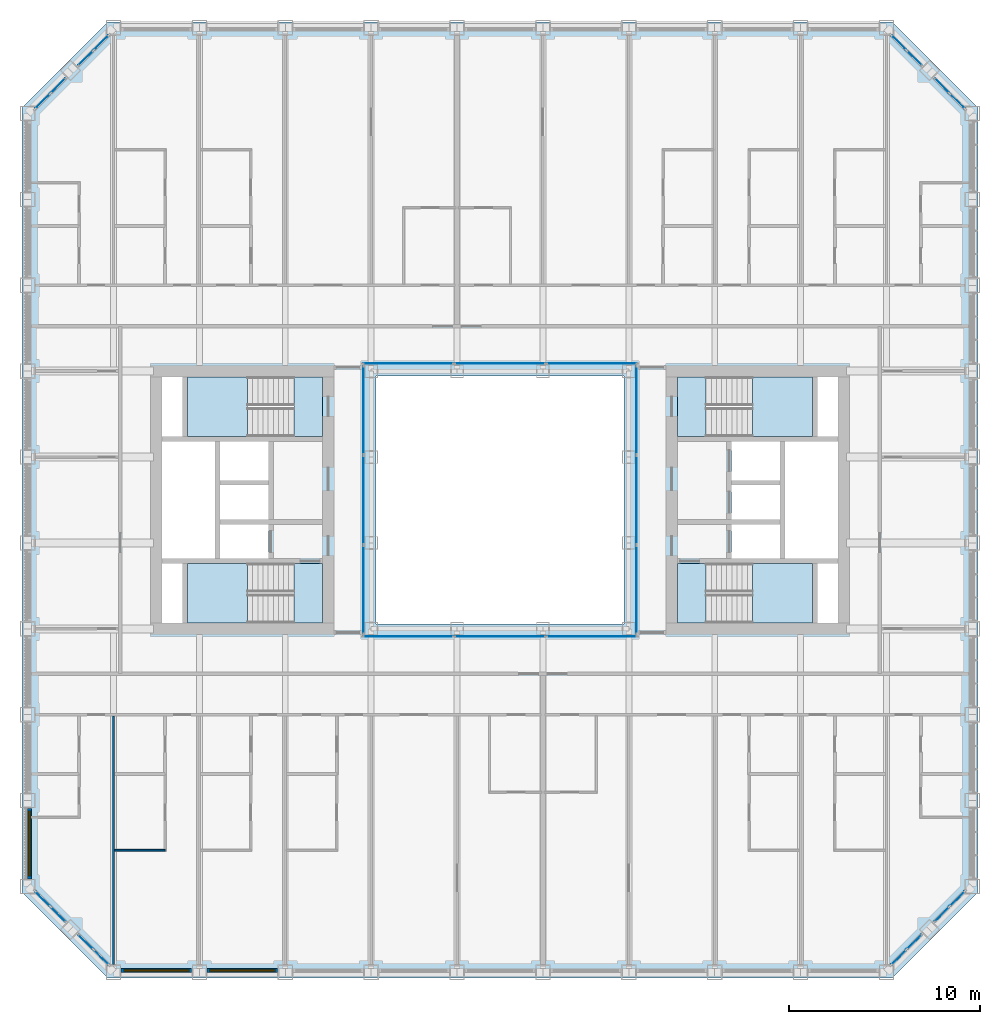
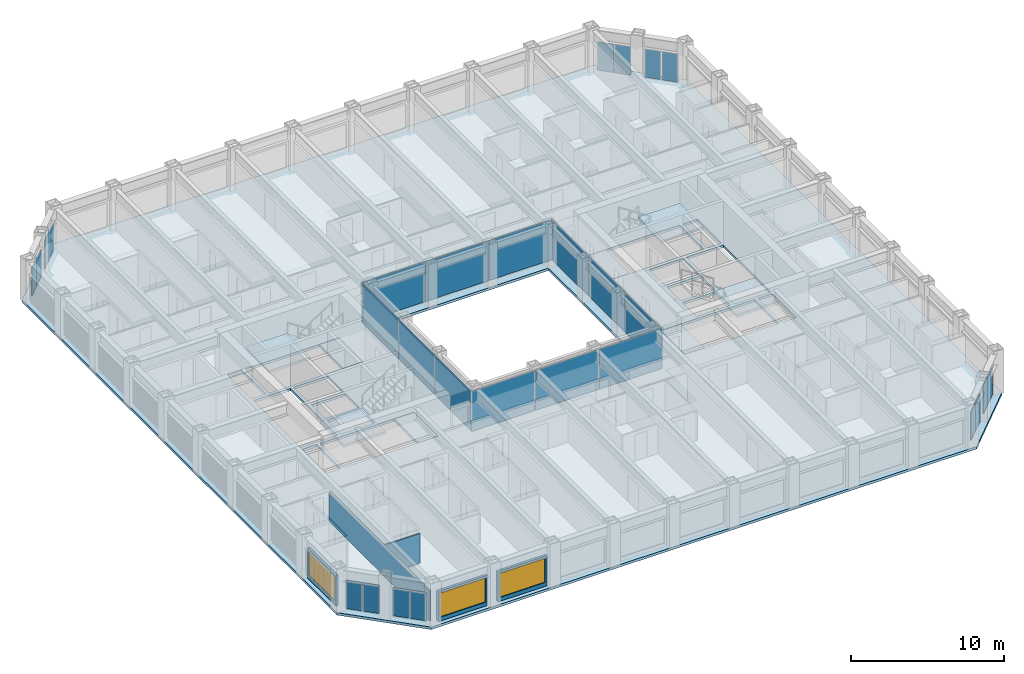
# One storey, part 8 of 21: 28 plates, 9 slabs, 5 walls, 3 windows, 3 openings, 16 elements without a shape of their own.
"""IFC4 building model written with IfcOpenShell, lengths in metres."""

from ifc_helpers import new_model, si_unit, direction, frame, frame_2d, origin, origin_2d, place, context, subcontext, project, spatial, polyline, rectangle, outline, extrude, material, layer, layer_set, type_object, element, fill, aggregate, save


model = new_model("IFC4")

# Units and contexts
model_context = context("Model", 3, precision=1e-05, world=origin(), true_north=direction((0.0, 1.0)))
body_context = subcontext(model_context, "Body", "Model", "MODEL_VIEW")
ifc_project = project(units=[si_unit("LENGTHUNIT", "METRE"), si_unit("AREAUNIT", "SQUARE_METRE"), si_unit("VOLUMEUNIT", "CUBIC_METRE"), si_unit("PLANEANGLEUNIT", "RADIAN"), si_unit("MASSUNIT", "GRAM", prefix="KILO")], contexts=[model_context])

# Site, building, storey
site_placement = place(None, origin())
site = spatial("IfcSite", under=ifc_project, at=site_placement, CompositionType="ELEMENT")
building_placement = place(site_placement, origin())
building = spatial("IfcBuilding", under=site, at=building_placement, Name="Msasa Ring Tower", CompositionType="ELEMENT")
storey_placement = place(building_placement, frame((0.0, 0.0, 82.5)))
storey = spatial("IfcBuildingStorey", under=building, at=storey_placement, Name="L21", CompositionType="ELEMENT", Elevation=82.5)

# Curtain wall, plates
ifc_material_1 = material(Name="Aluminium curtain wall with clear glass", Category="aluminium")
curtain_wall_type_1 = type_object("IfcCurtainWallType", Name="CW-C CHAMFER CORNER CURTAIN WALL", PredefinedType="NOTDEFINED", material=ifc_material_1)
curtain_wall_1_placement = place(storey_placement, origin())
curtain_wall_1 = element("IfcCurtainWall", 1, at=curtain_wall_1_placement, inside=storey, type_object=curtain_wall_type_1, Name="Chamfer corner curtain wall SE L21", PredefinedType="NOTDEFINED")
ifc_material_2 = material(Name="Clear laminated insulating glass unit", Category="glass")
ifc_layer_1 = layer(ifc_material_2, 0.031982421875)
ifc_layer_set_1 = layer_set([ifc_layer_1], Name="CW-C GLASS PANEL 32")
plate_type_1 = type_object("IfcPlateType", Name="CW-C GLASS PANEL 32", PredefinedType="CURTAIN_PANEL", material=ifc_layer_set_1)
plate_1_placement = place(storey_placement, frame((20.896484375, -23.962158203125, 0.06494140625), z_axis=(0.0, 0.0, 1.0), x_axis=(0.707106781187, 0.707106781187, 0.0)))
plate_1 = element("IfcPlate", 2, at=plate_1_placement, type_object=plate_type_1, Name="CW-C panel 1.1", PredefinedType="CURTAIN_PANEL", context=body_context, shape_type="SweptSolid", body=[
    extrude(rectangle(XDim=1.08837890625, YDim=0.031982421875, at=origin_2d()), origin(), (0.0, 0.0, 1.0), 2.2490234375),
])
plate_2_placement = place(storey_placement, frame((21.712158203125, -23.146484375, 0.06494140625), z_axis=(0.0, 0.0, 1.0), x_axis=(0.707106781187, 0.707106781187, 0.0)))
plate_2 = element("IfcPlate", 3, at=plate_2_placement, type_object=plate_type_1, Name="CW-C panel 2.1", PredefinedType="CURTAIN_PANEL", context=body_context, shape_type="SweptSolid", body=[
    extrude(rectangle(XDim=1.08837890625, YDim=0.031982421875, at=origin_2d()), origin(), (0.0, 0.0, 1.0), 2.2490234375),
])
aggregate(curtain_wall_1, [plate_1, plate_2])

curtain_wall_2_placement = place(storey_placement, origin())
curtain_wall_2 = element("IfcCurtainWall", 4, at=curtain_wall_2_placement, inside=storey, type_object=curtain_wall_type_1, Name="Chamfer corner curtain wall SE L21", PredefinedType="NOTDEFINED")
plate_3_placement = place(storey_placement, frame((23.146484375, -21.712158203125, 0.06494140625), z_axis=(0.0, 0.0, 1.0), x_axis=(0.707106781187, 0.707106781187, 0.0)))
plate_3 = element("IfcPlate", 5, at=plate_3_placement, type_object=plate_type_1, Name="CW-C panel 1.1", PredefinedType="CURTAIN_PANEL", context=body_context, shape_type="SweptSolid", body=[
    extrude(rectangle(XDim=1.08837890625, YDim=0.031982421875, at=origin_2d()), origin(), (0.0, 0.0, 1.0), 2.2490234375),
])
plate_4_placement = place(storey_placement, frame((23.962158203125, -20.896484375, 0.06494140625), z_axis=(0.0, 0.0, 1.0), x_axis=(0.707106781187, 0.707106781187, 0.0)))
plate_4 = element("IfcPlate", 6, at=plate_4_placement, type_object=plate_type_1, Name="CW-C panel 2.1", PredefinedType="CURTAIN_PANEL", context=body_context, shape_type="SweptSolid", body=[
    extrude(rectangle(XDim=1.08837890625, YDim=0.031982421875, at=origin_2d()), origin(), (0.0, 0.0, 1.0), 2.2490234375),
])
aggregate(curtain_wall_2, [plate_3, plate_4])

curtain_wall_3_placement = place(storey_placement, origin())
curtain_wall_3 = element("IfcCurtainWall", 7, at=curtain_wall_3_placement, inside=storey, type_object=curtain_wall_type_1, Name="Chamfer corner curtain wall NE L21", PredefinedType="NOTDEFINED")
plate_5_placement = place(storey_placement, frame((21.712158203125, 23.146484375, 0.06494140625), z_axis=(0.0, 0.0, 1.0), x_axis=(-0.707106781187, 0.707106781187, 0.0)))
plate_5 = element("IfcPlate", 8, at=plate_5_placement, type_object=plate_type_1, Name="CW-C panel 1.1", PredefinedType="CURTAIN_PANEL", context=body_context, shape_type="SweptSolid", body=[
    extrude(rectangle(XDim=1.08837890625, YDim=0.031982421875, at=origin_2d()), origin(), (0.0, 0.0, 1.0), 2.2490234375),
])
plate_6_placement = place(storey_placement, frame((20.896484375, 23.962158203125, 0.06494140625), z_axis=(0.0, 0.0, 1.0), x_axis=(-0.707106781187, 0.707106781187, 0.0)))
plate_6 = element("IfcPlate", 9, at=plate_6_placement, type_object=plate_type_1, Name="CW-C panel 2.1", PredefinedType="CURTAIN_PANEL", context=body_context, shape_type="SweptSolid", body=[
    extrude(rectangle(XDim=1.08837890625, YDim=0.031982421875, at=origin_2d()), origin(), (0.0, 0.0, 1.0), 2.2490234375),
])
aggregate(curtain_wall_3, [plate_5, plate_6])

curtain_wall_4_placement = place(storey_placement, origin())
curtain_wall_4 = element("IfcCurtainWall", 10, at=curtain_wall_4_placement, inside=storey, type_object=curtain_wall_type_1, Name="Chamfer corner curtain wall NE L21", PredefinedType="NOTDEFINED")
plate_7_placement = place(storey_placement, frame((23.962158203125, 20.896484375, 0.06494140625), z_axis=(0.0, 0.0, 1.0), x_axis=(-0.707106781187, 0.707106781187, 0.0)))
plate_7 = element("IfcPlate", 11, at=plate_7_placement, type_object=plate_type_1, Name="CW-C panel 1.1", PredefinedType="CURTAIN_PANEL", context=body_context, shape_type="SweptSolid", body=[
    extrude(rectangle(XDim=1.08837890625, YDim=0.031982421875, at=origin_2d()), origin(), (0.0, 0.0, 1.0), 2.2490234375),
])
plate_8_placement = place(storey_placement, frame((23.146484375, 21.712158203125, 0.06494140625), z_axis=(0.0, 0.0, 1.0), x_axis=(-0.707106781187, 0.707106781187, 0.0)))
plate_8 = element("IfcPlate", 12, at=plate_8_placement, type_object=plate_type_1, Name="CW-C panel 2.1", PredefinedType="CURTAIN_PANEL", context=body_context, shape_type="SweptSolid", body=[
    extrude(rectangle(XDim=1.08837890625, YDim=0.031982421875, at=origin_2d()), origin(), (0.0, 0.0, 1.0), 2.2490234375),
])
aggregate(curtain_wall_4, [plate_7, plate_8])

curtain_wall_5_placement = place(storey_placement, origin())
curtain_wall_5 = element("IfcCurtainWall", 13, at=curtain_wall_5_placement, inside=storey, type_object=curtain_wall_type_1, Name="Chamfer corner curtain wall NW L21", PredefinedType="NOTDEFINED")
plate_9_placement = place(storey_placement, frame((-23.146484375, 21.712158203125, 0.06494140625), z_axis=(0.0, 0.0, 1.0), x_axis=(-0.707106781187, -0.707106781187, 0.0)))
plate_9 = element("IfcPlate", 14, at=plate_9_placement, type_object=plate_type_1, Name="CW-C panel 1.1", PredefinedType="CURTAIN_PANEL", context=body_context, shape_type="SweptSolid", body=[
    extrude(rectangle(XDim=1.08837890625, YDim=0.031982421875, at=origin_2d()), origin(), (0.0, 0.0, 1.0), 2.2490234375),
])
plate_10_placement = place(storey_placement, frame((-23.962158203125, 20.896484375, 0.06494140625), z_axis=(0.0, 0.0, 1.0), x_axis=(-0.707106781187, -0.707106781187, 0.0)))
plate_10 = element("IfcPlate", 15, at=plate_10_placement, type_object=plate_type_1, Name="CW-C panel 2.1", PredefinedType="CURTAIN_PANEL", context=body_context, shape_type="SweptSolid", body=[
    extrude(rectangle(XDim=1.08837890625, YDim=0.031982421875, at=origin_2d()), origin(), (0.0, 0.0, 1.0), 2.2490234375),
])
aggregate(curtain_wall_5, [plate_9, plate_10])

curtain_wall_6_placement = place(storey_placement, origin())
curtain_wall_6 = element("IfcCurtainWall", 16, at=curtain_wall_6_placement, inside=storey, type_object=curtain_wall_type_1, Name="Chamfer corner curtain wall NW L21", PredefinedType="NOTDEFINED")
plate_11_placement = place(storey_placement, frame((-20.896484375, 23.962158203125, 0.06494140625), z_axis=(0.0, 0.0, 1.0), x_axis=(-0.707106781187, -0.707106781187, 0.0)))
plate_11 = element("IfcPlate", 17, at=plate_11_placement, type_object=plate_type_1, Name="CW-C panel 1.1", PredefinedType="CURTAIN_PANEL", context=body_context, shape_type="SweptSolid", body=[
    extrude(rectangle(XDim=1.08837890625, YDim=0.031982421875, at=origin_2d()), origin(), (0.0, 0.0, 1.0), 2.2490234375),
])
plate_12_placement = place(storey_placement, frame((-21.712158203125, 23.146484375, 0.06494140625), z_axis=(0.0, 0.0, 1.0), x_axis=(-0.707106781187, -0.707106781187, 0.0)))
plate_12 = element("IfcPlate", 18, at=plate_12_placement, type_object=plate_type_1, Name="CW-C panel 2.1", PredefinedType="CURTAIN_PANEL", context=body_context, shape_type="SweptSolid", body=[
    extrude(rectangle(XDim=1.08837890625, YDim=0.031982421875, at=origin_2d()), origin(), (0.0, 0.0, 1.0), 2.2490234375),
])
aggregate(curtain_wall_6, [plate_11, plate_12])

curtain_wall_7_placement = place(storey_placement, origin())
curtain_wall_7 = element("IfcCurtainWall", 19, at=curtain_wall_7_placement, inside=storey, type_object=curtain_wall_type_1, Name="Chamfer corner curtain wall SW L21", PredefinedType="NOTDEFINED")
plate_13_placement = place(storey_placement, frame((-23.962158203125, -20.896484375, 0.06494140625), z_axis=(0.0, 0.0, 1.0), x_axis=(0.707106781187, -0.707106781187, 0.0)))
plate_13 = element("IfcPlate", 20, at=plate_13_placement, type_object=plate_type_1, Name="CW-C panel 1.1", PredefinedType="CURTAIN_PANEL", context=body_context, shape_type="SweptSolid", body=[
    extrude(rectangle(XDim=1.08837890625, YDim=0.031982421875, at=origin_2d()), origin(), (0.0, 0.0, 1.0), 2.2490234375),
])
plate_14_placement = place(storey_placement, frame((-23.146484375, -21.712158203125, 0.06494140625), z_axis=(0.0, 0.0, 1.0), x_axis=(0.707106781187, -0.707106781187, 0.0)))
plate_14 = element("IfcPlate", 21, at=plate_14_placement, type_object=plate_type_1, Name="CW-C panel 2.1", PredefinedType="CURTAIN_PANEL", context=body_context, shape_type="SweptSolid", body=[
    extrude(rectangle(XDim=1.08837890625, YDim=0.031982421875, at=origin_2d()), origin(), (0.0, 0.0, 1.0), 2.2490234375),
])
aggregate(curtain_wall_7, [plate_13, plate_14])

curtain_wall_8_placement = place(storey_placement, origin())
curtain_wall_8 = element("IfcCurtainWall", 22, at=curtain_wall_8_placement, inside=storey, type_object=curtain_wall_type_1, Name="Chamfer corner curtain wall SW L21", PredefinedType="NOTDEFINED")
plate_15_placement = place(storey_placement, frame((-21.712158203125, -23.146484375, 0.06494140625), z_axis=(0.0, 0.0, 1.0), x_axis=(0.707106781187, -0.707106781187, 0.0)))
plate_15 = element("IfcPlate", 23, at=plate_15_placement, type_object=plate_type_1, Name="CW-C panel 1.1", PredefinedType="CURTAIN_PANEL", context=body_context, shape_type="SweptSolid", body=[
    extrude(rectangle(XDim=1.08837890625, YDim=0.031982421875, at=origin_2d()), origin(), (0.0, 0.0, 1.0), 2.2490234375),
])
plate_16_placement = place(storey_placement, frame((-20.896484375, -23.962158203125, 0.06494140625), z_axis=(0.0, 0.0, 1.0), x_axis=(0.707106781187, -0.707106781187, 0.0)))
plate_16 = element("IfcPlate", 24, at=plate_16_placement, type_object=plate_type_1, Name="CW-C panel 2.1", PredefinedType="CURTAIN_PANEL", context=body_context, shape_type="SweptSolid", body=[
    extrude(rectangle(XDim=1.08837890625, YDim=0.031982421875, at=origin_2d()), origin(), (0.0, 0.0, 1.0), 2.2490234375),
])
aggregate(curtain_wall_8, [plate_15, plate_16])

ifc_material_3 = material(Name="Aluminium curtain wall with clear glass", Category="aluminium")
curtain_wall_type_2 = type_object("IfcCurtainWallType", Name="CW-W LIGHT WELL CURTAIN WALL", PredefinedType="NOTDEFINED", material=ifc_material_3)
curtain_wall_9_placement = place(storey_placement, origin())
curtain_wall_9 = element("IfcCurtainWall", 25, at=curtain_wall_9_placement, inside=storey, type_object=curtain_wall_type_2, Name="Light well curtain wall N L21", PredefinedType="NOTDEFINED")
ifc_material_4 = material(Name="Clear laminated insulating glass unit", Category="glass")
ifc_layer_2 = layer(ifc_material_4, 0.028076171875)
ifc_layer_set_2 = layer_set([ifc_layer_2], Name="CW-W GLASS PANEL 28")
plate_type_2 = type_object("IfcPlateType", Name="CW-W GLASS PANEL 28", PredefinedType="CURTAIN_PANEL", material=ifc_layer_set_2)
plate_17_placement = place(storey_placement, frame((-4.804931640625, 7.14990234375, 0.06005859375), z_axis=(0.0, 0.0, 1.0), x_axis=(1.0, 0.0, 0.0)))
plate_17 = element("IfcPlate", 26, at=plate_17_placement, type_object=plate_type_2, Name="CW-W panel 1.1", PredefinedType="CURTAIN_PANEL", context=body_context, shape_type="SweptSolid", body=[
    extrude(rectangle(XDim=4.72998046875, YDim=0.028076171875, at=origin_2d()), origin(), (0.0, 0.0, 1.0), 3.179931640625),
])
plate_18_placement = place(storey_placement, frame((0.0, 7.14990234375, 0.06005859375), z_axis=(0.0, 0.0, 1.0), x_axis=(1.0, 0.0, 0.0)))
plate_18 = element("IfcPlate", 27, at=plate_18_placement, type_object=plate_type_2, Name="CW-W panel 2.1", PredefinedType="CURTAIN_PANEL", context=body_context, shape_type="SweptSolid", body=[
    extrude(rectangle(XDim=4.760009765625, YDim=0.028076171875, at=origin_2d()), origin(), (0.0, 0.0, 1.0), 3.179931640625),
])
plate_19_placement = place(storey_placement, frame((4.804931640625, 7.14990234375, 0.06005859375), z_axis=(0.0, 0.0, 1.0), x_axis=(1.0, 0.0, 0.0)))
plate_19 = element("IfcPlate", 28, at=plate_19_placement, type_object=plate_type_2, Name="CW-W panel 3.1", PredefinedType="CURTAIN_PANEL", context=body_context, shape_type="SweptSolid", body=[
    extrude(rectangle(XDim=4.72998046875, YDim=0.028076171875, at=origin_2d()), origin(), (0.0, 0.0, 1.0), 3.179931640625),
])
aggregate(curtain_wall_9, [plate_17, plate_18, plate_19])

curtain_wall_10_placement = place(storey_placement, origin())
curtain_wall_10 = element("IfcCurtainWall", 29, at=curtain_wall_10_placement, inside=storey, type_object=curtain_wall_type_2, Name="Light well curtain wall S L21", PredefinedType="NOTDEFINED")
plate_20_placement = place(storey_placement, frame((-4.804931640625, -7.14990234375, 0.06005859375), z_axis=(0.0, 0.0, 1.0), x_axis=(1.0, 0.0, 0.0)))
plate_20 = element("IfcPlate", 30, at=plate_20_placement, type_object=plate_type_2, Name="CW-W panel 1.1", PredefinedType="CURTAIN_PANEL", context=body_context, shape_type="SweptSolid", body=[
    extrude(rectangle(XDim=4.72998046875, YDim=0.028076171875, at=origin_2d()), origin(), (0.0, 0.0, 1.0), 3.179931640625),
])
plate_21_placement = place(storey_placement, frame((0.0, -7.14990234375, 0.06005859375), z_axis=(0.0, 0.0, 1.0), x_axis=(1.0, 0.0, 0.0)))
plate_21 = element("IfcPlate", 31, at=plate_21_placement, type_object=plate_type_2, Name="CW-W panel 2.1", PredefinedType="CURTAIN_PANEL", context=body_context, shape_type="SweptSolid", body=[
    extrude(rectangle(XDim=4.760009765625, YDim=0.028076171875, at=origin_2d()), origin(), (0.0, 0.0, 1.0), 3.179931640625),
])
plate_22_placement = place(storey_placement, frame((4.804931640625, -7.14990234375, 0.06005859375), z_axis=(0.0, 0.0, 1.0), x_axis=(1.0, 0.0, 0.0)))
plate_22 = element("IfcPlate", 32, at=plate_22_placement, type_object=plate_type_2, Name="CW-W panel 3.1", PredefinedType="CURTAIN_PANEL", context=body_context, shape_type="SweptSolid", body=[
    extrude(rectangle(XDim=4.72998046875, YDim=0.028076171875, at=origin_2d()), origin(), (0.0, 0.0, 1.0), 3.179931640625),
])
aggregate(curtain_wall_10, [plate_20, plate_21, plate_22])

curtain_wall_11_placement = place(storey_placement, origin())
curtain_wall_11 = element("IfcCurtainWall", 33, at=curtain_wall_11_placement, inside=storey, type_object=curtain_wall_type_2, Name="Light well curtain wall E L21", PredefinedType="NOTDEFINED")
plate_23_placement = place(storey_placement, frame((7.14990234375, -4.6982421875, 0.06005859375), z_axis=(0.0, 0.0, 1.0), x_axis=(0.0, 1.0, 0.0)))
plate_23 = element("IfcPlate", 34, at=plate_23_placement, type_object=plate_type_2, Name="CW-W panel 1.1", PredefinedType="CURTAIN_PANEL", context=body_context, shape_type="SweptSolid", body=[
    extrude(rectangle(XDim=4.623291015625, YDim=0.028076171875, at=origin_2d()), origin(), (0.0, 0.0, 1.0), 3.179931640625),
])
plate_24_placement = place(storey_placement, frame((7.14990234375, 0.0, 0.06005859375), z_axis=(0.0, 0.0, 1.0), x_axis=(0.0, 1.0, 0.0)))
plate_24 = element("IfcPlate", 35, at=plate_24_placement, type_object=plate_type_2, Name="CW-W panel 2.1", PredefinedType="CURTAIN_PANEL", context=body_context, shape_type="SweptSolid", body=[
    extrude(rectangle(XDim=4.6533203125, YDim=0.028076171875, at=origin_2d()), origin(), (0.0, 0.0, 1.0), 3.179931640625),
])
plate_25_placement = place(storey_placement, frame((7.14990234375, 4.6982421875, 0.06005859375), z_axis=(0.0, 0.0, 1.0), x_axis=(0.0, 1.0, 0.0)))
plate_25 = element("IfcPlate", 36, at=plate_25_placement, type_object=plate_type_2, Name="CW-W panel 3.1", PredefinedType="CURTAIN_PANEL", context=body_context, shape_type="SweptSolid", body=[
    extrude(rectangle(XDim=4.623291015625, YDim=0.028076171875, at=origin_2d()), origin(), (0.0, 0.0, 1.0), 3.179931640625),
])
aggregate(curtain_wall_11, [plate_23, plate_24, plate_25])

curtain_wall_12_placement = place(storey_placement, origin())
curtain_wall_12 = element("IfcCurtainWall", 37, at=curtain_wall_12_placement, inside=storey, type_object=curtain_wall_type_2, Name="Light well curtain wall W L21", PredefinedType="NOTDEFINED")
plate_26_placement = place(storey_placement, frame((-7.14990234375, -4.6982421875, 0.06005859375), z_axis=(0.0, 0.0, 1.0), x_axis=(0.0, 1.0, 0.0)))
plate_26 = element("IfcPlate", 38, at=plate_26_placement, type_object=plate_type_2, Name="CW-W panel 1.1", PredefinedType="CURTAIN_PANEL", context=body_context, shape_type="SweptSolid", body=[
    extrude(rectangle(XDim=4.623291015625, YDim=0.028076171875, at=origin_2d()), origin(), (0.0, 0.0, 1.0), 3.179931640625),
])
plate_27_placement = place(storey_placement, frame((-7.14990234375, 0.0, 0.06005859375), z_axis=(0.0, 0.0, 1.0), x_axis=(0.0, 1.0, 0.0)))
plate_27 = element("IfcPlate", 39, at=plate_27_placement, type_object=plate_type_2, Name="CW-W panel 2.1", PredefinedType="CURTAIN_PANEL", context=body_context, shape_type="SweptSolid", body=[
    extrude(rectangle(XDim=4.6533203125, YDim=0.028076171875, at=origin_2d()), origin(), (0.0, 0.0, 1.0), 3.179931640625),
])
plate_28_placement = place(storey_placement, frame((-7.14990234375, 4.6982421875, 0.06005859375), z_axis=(0.0, 0.0, 1.0), x_axis=(0.0, 1.0, 0.0)))
plate_28 = element("IfcPlate", 40, at=plate_28_placement, type_object=plate_type_2, Name="CW-W panel 3.1", PredefinedType="CURTAIN_PANEL", context=body_context, shape_type="SweptSolid", body=[
    extrude(rectangle(XDim=4.623291015625, YDim=0.028076171875, at=origin_2d()), origin(), (0.0, 0.0, 1.0), 3.179931640625),
])
aggregate(curtain_wall_12, [plate_26, plate_27, plate_28])

# Stair, slabs
ifc_material_5 = material(Name="Concrete C40/50", Category="concrete")
stair_type = type_object("IfcStairType", Name="STC CORE STAIR 20 RISERS 175", PredefinedType="HALF_TURN_STAIR", material=ifc_material_5)
stair_1_placement = place(storey_placement, origin())
stair_1 = element("IfcStair", 41, at=stair_1_placement, inside=storey, type_object=stair_type, Name="Core stair SEA L21", PredefinedType="HALF_TURN_STAIR")
ifc_material_6 = material(Name="Concrete C40/50", Category="concrete")
ifc_layer_3 = layer(ifc_material_6, 0.199951171875)
ifc_layer_set_3 = layer_set([ifc_layer_3], Name="LD1 CORE STAIR LANDING 200")
slab_type_1 = type_object("IfcSlabType", Name="LD1 CORE STAIR LANDING 200", PredefinedType="LANDING", material=ifc_layer_set_3)
slab_1_placement = place(storey_placement, frame((0.0, 0.0, -0.199951171875)))
slab_1 = element("IfcSlab", 42, at=slab_1_placement, type_object=slab_type_1, Name="SEA landing 1", PredefinedType="LANDING", context=body_context, shape_type="SweptSolid", body=[
    extrude(outline(polyline([(9.300048828125, -6.449951171875), (10.800048828125, -6.449951171875), (10.800048828125, -3.324951171875), (9.300048828125, -3.324951171875), (9.300048828125, -6.449951171875)])), origin(), (0.0, 0.0, 1.0), 0.199951171875),
])
slab_2_placement = place(storey_placement, frame((0.0, 0.0, 1.550048828125)))
slab_2 = element("IfcSlab", 43, at=slab_2_placement, type_object=slab_type_1, Name="SEA landing 2", PredefinedType="LANDING", context=body_context, shape_type="SweptSolid", body=[
    extrude(outline(polyline([(13.22998046875, -6.449951171875), (16.375, -6.449951171875), (16.375, -3.324951171875), (13.22998046875, -3.324951171875), (13.22998046875, -6.449951171875)])), origin(), (0.0, 0.0, 1.0), 0.199951171875),
])
aggregate(stair_1, [slab_1, slab_2])

stair_2_placement = place(storey_placement, origin())
stair_2 = element("IfcStair", 44, at=stair_2_placement, inside=storey, type_object=stair_type, Name="Core stair SEB L21", PredefinedType="HALF_TURN_STAIR")
slab_3_placement = place(storey_placement, frame((0.0, 0.0, -0.199951171875)))
slab_3 = element("IfcSlab", 45, at=slab_3_placement, type_object=slab_type_1, Name="SEB landing 1", PredefinedType="LANDING", context=body_context, shape_type="SweptSolid", body=[
    extrude(outline(polyline([(9.300048828125, 3.324951171875), (10.800048828125, 3.324951171875), (10.800048828125, 6.449951171875), (9.300048828125, 6.449951171875), (9.300048828125, 3.324951171875)])), origin(), (0.0, 0.0, 1.0), 0.199951171875),
])
slab_4_placement = place(storey_placement, frame((0.0, 0.0, 1.550048828125)))
slab_4 = element("IfcSlab", 46, at=slab_4_placement, type_object=slab_type_1, Name="SEB landing 2", PredefinedType="LANDING", context=body_context, shape_type="SweptSolid", body=[
    extrude(outline(polyline([(13.22998046875, 3.324951171875), (16.375, 3.324951171875), (16.375, 6.449951171875), (13.22998046875, 6.449951171875), (13.22998046875, 3.324951171875)])), origin(), (0.0, 0.0, 1.0), 0.199951171875),
])
aggregate(stair_2, [slab_3, slab_4])

stair_3_placement = place(storey_placement, origin())
stair_3 = element("IfcStair", 47, at=stair_3_placement, inside=storey, type_object=stair_type, Name="Core stair SWA L21", PredefinedType="HALF_TURN_STAIR")
slab_5_placement = place(storey_placement, frame((0.0, 0.0, -0.199951171875)))
slab_5 = element("IfcSlab", 48, at=slab_5_placement, type_object=slab_type_1, Name="SWA landing 1", PredefinedType="LANDING", context=body_context, shape_type="SweptSolid", body=[
    extrude(outline(polyline([(-10.800048828125, -6.449951171875), (-9.300048828125, -6.449951171875), (-9.300048828125, -3.324951171875), (-10.800048828125, -3.324951171875), (-10.800048828125, -6.449951171875)])), origin(), (0.0, 0.0, 1.0), 0.199951171875),
])
slab_6_placement = place(storey_placement, frame((0.0, 0.0, 1.550048828125)))
slab_6 = element("IfcSlab", 49, at=slab_6_placement, type_object=slab_type_1, Name="SWA landing 2", PredefinedType="LANDING", context=body_context, shape_type="SweptSolid", body=[
    extrude(outline(polyline([(-16.375, -6.449951171875), (-13.22998046875, -6.449951171875), (-13.22998046875, -3.324951171875), (-16.375, -3.324951171875), (-16.375, -6.449951171875)])), origin(), (0.0, 0.0, 1.0), 0.199951171875),
])
aggregate(stair_3, [slab_5, slab_6])

stair_4_placement = place(storey_placement, origin())
stair_4 = element("IfcStair", 50, at=stair_4_placement, inside=storey, type_object=stair_type, Name="Core stair SWB L21", PredefinedType="HALF_TURN_STAIR")
slab_7_placement = place(storey_placement, frame((0.0, 0.0, -0.199951171875)))
slab_7 = element("IfcSlab", 51, at=slab_7_placement, type_object=slab_type_1, Name="SWB landing 1", PredefinedType="LANDING", context=body_context, shape_type="SweptSolid", body=[
    extrude(outline(polyline([(-10.800048828125, 3.324951171875), (-9.300048828125, 3.324951171875), (-9.300048828125, 6.449951171875), (-10.800048828125, 6.449951171875), (-10.800048828125, 3.324951171875)])), origin(), (0.0, 0.0, 1.0), 0.199951171875),
])
slab_8_placement = place(storey_placement, frame((0.0, 0.0, 1.550048828125)))
slab_8 = element("IfcSlab", 52, at=slab_8_placement, type_object=slab_type_1, Name="SWB landing 2", PredefinedType="LANDING", context=body_context, shape_type="SweptSolid", body=[
    extrude(outline(polyline([(-16.375, 3.324951171875), (-13.22998046875, 3.324951171875), (-13.22998046875, 6.449951171875), (-16.375, 6.449951171875), (-16.375, 3.324951171875)])), origin(), (0.0, 0.0, 1.0), 0.199951171875),
])
aggregate(stair_4, [slab_7, slab_8])

# Slab
ifc_material_7 = material(Name="Concrete C40/50", Category="concrete")
ifc_layer_4 = layer(ifc_material_7, 0.199951171875)
ifc_layer_set_4 = layer_set([ifc_layer_4], Name="S3 RESIDENCE FLOOR 200")
slab_type_2 = type_object("IfcSlabType", Name="S3 RESIDENCE FLOOR 200", PredefinedType="FLOOR", material=ifc_layer_set_4)
slab_9_placement = place(storey_placement, frame((0.0, 0.0, -0.199951171875)))
element("IfcSlab", 53, at=slab_9_placement, inside=storey, type_object=slab_type_2, Name="Floor slab L21", PredefinedType="FLOOR", context=body_context, shape_type="SweptSolid", body=[
    extrude(outline(polyline([(-20.550048828125, -25.050048828125), (20.550048828125, -25.050048828125), (25.050048828125, -20.550048828125), (25.050048828125, 20.550048828125), (20.550048828125, 25.050048828125), (-20.550048828125, 25.050048828125), (-25.050048828125, 20.550048828125), (-25.050048828125, -20.550048828125), (-20.550048828125, -25.050048828125)]), holes=[polyline([(-6.5, -6.5), (6.5, -6.5), (6.5, 6.5), (-6.5, 6.5), (-6.5, -6.5)]), polyline([(9.300048828125, -6.449951171875), (16.375, -6.449951171875), (16.375, -3.324951171875), (9.300048828125, -3.324951171875), (9.300048828125, -6.449951171875)]), polyline([(9.300048828125, 3.324951171875), (16.375, 3.324951171875), (16.375, 6.449951171875), (9.300048828125, 6.449951171875), (9.300048828125, 3.324951171875)]), polyline([(12.125, -3.074951171875), (14.675048828125, -3.074951171875), (14.675048828125, -1.27490234375), (12.125, -1.27490234375), (12.125, -3.074951171875)]), polyline([(12.125, -1.02490234375), (14.675048828125, -1.02490234375), (14.675048828125, 0.77490234375), (12.125, 0.77490234375), (12.125, -1.02490234375)]), polyline([(12.125, 1.02490234375), (14.675048828125, 1.02490234375), (14.675048828125, 3.074951171875), (12.125, 3.074951171875), (12.125, 1.02490234375)]), polyline([(16.625, -6.449951171875), (17.699951171875, -6.449951171875), (17.699951171875, -3.324951171875), (16.625, -3.324951171875), (16.625, -6.449951171875)]), polyline([(16.625, 3.324951171875), (17.699951171875, 3.324951171875), (17.699951171875, 6.449951171875), (16.625, 6.449951171875), (16.625, 3.324951171875)]), polyline([(14.925048828125, -3.074951171875), (17.699951171875, -3.074951171875), (17.699951171875, 3.074951171875), (14.925048828125, 3.074951171875), (14.925048828125, -3.074951171875)]), polyline([(-16.375, -6.449951171875), (-9.300048828125, -6.449951171875), (-9.300048828125, -3.324951171875), (-16.375, -3.324951171875), (-16.375, -6.449951171875)]), polyline([(-16.375, 3.324951171875), (-9.300048828125, 3.324951171875), (-9.300048828125, 6.449951171875), (-16.375, 6.449951171875), (-16.375, 3.324951171875)]), polyline([(-14.675048828125, -3.074951171875), (-12.125, -3.074951171875), (-12.125, -1.27490234375), (-14.675048828125, -1.27490234375), (-14.675048828125, -3.074951171875)]), polyline([(-14.675048828125, -1.02490234375), (-12.125, -1.02490234375), (-12.125, 0.77490234375), (-14.675048828125, 0.77490234375), (-14.675048828125, -1.02490234375)]), polyline([(-14.675048828125, 1.02490234375), (-12.125, 1.02490234375), (-12.125, 3.074951171875), (-14.675048828125, 3.074951171875), (-14.675048828125, 1.02490234375)]), polyline([(-17.699951171875, -6.449951171875), (-16.625, -6.449951171875), (-16.625, -3.324951171875), (-17.699951171875, -3.324951171875), (-17.699951171875, -6.449951171875)]), polyline([(-17.699951171875, 3.324951171875), (-16.625, 3.324951171875), (-16.625, 6.449951171875), (-17.699951171875, 6.449951171875), (-17.699951171875, 3.324951171875)]), polyline([(-17.699951171875, -3.074951171875), (-14.925048828125, -3.074951171875), (-14.925048828125, 3.074951171875), (-17.699951171875, 3.074951171875), (-17.699951171875, -3.074951171875)])]), origin(), (0.0, 0.0, 1.0), 0.199951171875),
])

# Wall, opening, window
ifc_material_8 = material(Name="Terracotta rainscreen on blockwork", Category="masonry")
ifc_layer_5 = layer(ifc_material_8, 0.199951171875)
ifc_layer_set_5 = layer_set([ifc_layer_5], Name="FW1 TERRACOTTA-LINED INFILL BAY WALL 200")
wall_type_1 = type_object("IfcWallType", Name="FW1 TERRACOTTA-LINED INFILL BAY WALL 200", PredefinedType="SOLIDWALL", material=ifc_layer_set_5)
wall_1_placement = place(storey_placement, frame((-19.844970703125, -24.64990234375, 0.0), z_axis=(0.0, 0.0, 1.0), x_axis=(1.0, 0.0, 0.0)))
wall_1 = element("IfcWall", 54, at=wall_1_placement, inside=storey, type_object=wall_type_1, Name="Infill bay wall S L21 00", PredefinedType="SOLIDWALL", context=body_context, shape_type="SweptSolid", body=[
    extrude(rectangle(XDim=3.68994140625, YDim=0.199951171875, at=frame_2d((1.844970703125, 0.0))), origin(), (0.0, 0.0, 1.0), 2.37890625),
])
opening_1_placement = place(wall_1_placement, frame((0.14501953125, 0.0, 0.300048828125)))
opening_1 = element("IfcOpeningElement", 55, at=opening_1_placement, cuts=wall_1, Name="Opening WN1", PredefinedType="OPENING", context=body_context, shape_type="SweptSolid", body=[
    extrude(rectangle(XDim=3.39990234375, YDim=1.928955078125, at=frame_2d((1.699951171875, 0.96435546875))), frame((0.0, 0.10986328125, 0.0), z_axis=(0.0, -1.0, 0.0), x_axis=(1.0, 0.0, 0.0)), (0.0, 0.0, 1.0), 0.219970703125),
])
ifc_material_9 = material(Name="Aluminium frame with clear glass", Category="aluminium")
window_type = type_object("IfcWindowType", Name="WN1 RESIDENCE WINDOW 3400x1929", PartitioningType="SINGLE_PANEL", PredefinedType="WINDOW", material=ifc_material_9)
window_1_placement = place(opening_1_placement, origin())
window_1 = element("IfcWindow", 56, at=window_1_placement, inside=storey, type_object=window_type, Name="Window S L21 00", OverallHeight=1.928955078125, OverallWidth=3.39990234375, PartitioningType="SINGLE_PANEL", PredefinedType="WINDOW", context=body_context, shape_type="SweptSolid", body=[
    extrude(rectangle(XDim=3.39990234375, YDim=1.928955078125, at=frame_2d((1.699951171875, 0.96435546875))), frame((0.0, 0.030029296875, 0.0), z_axis=(0.0, -1.0, 0.0), x_axis=(1.0, 0.0, 0.0)), (0.0, 0.0, 1.0), 0.06005859375),
])
fill(opening_1, window_1)

wall_2_placement = place(storey_placement, frame((-15.344970703125, -24.64990234375, 0.0), z_axis=(0.0, 0.0, 1.0), x_axis=(1.0, 0.0, 0.0)))
wall_2 = element("IfcWall", 57, at=wall_2_placement, inside=storey, type_object=wall_type_1, Name="Infill bay wall S L21 01", PredefinedType="SOLIDWALL", context=body_context, shape_type="SweptSolid", body=[
    extrude(rectangle(XDim=3.68994140625, YDim=0.199951171875, at=frame_2d((1.844970703125, 0.0))), origin(), (0.0, 0.0, 1.0), 2.37890625),
])
opening_2_placement = place(wall_2_placement, frame((0.14501953125, 0.0, 0.300048828125)))
opening_2 = element("IfcOpeningElement", 58, at=opening_2_placement, cuts=wall_2, Name="Opening WN1", PredefinedType="OPENING", context=body_context, shape_type="SweptSolid", body=[
    extrude(rectangle(XDim=3.39990234375, YDim=1.928955078125, at=frame_2d((1.699951171875, 0.96435546875))), frame((0.0, 0.10986328125, 0.0), z_axis=(0.0, -1.0, 0.0), x_axis=(1.0, 0.0, 0.0)), (0.0, 0.0, 1.0), 0.219970703125),
])
window_2_placement = place(opening_2_placement, origin())
window_2 = element("IfcWindow", 59, at=window_2_placement, inside=storey, type_object=window_type, Name="Window S L21 01", OverallHeight=1.928955078125, OverallWidth=3.39990234375, PartitioningType="SINGLE_PANEL", PredefinedType="WINDOW", context=body_context, shape_type="SweptSolid", body=[
    extrude(rectangle(XDim=3.39990234375, YDim=1.928955078125, at=frame_2d((1.699951171875, 0.96435546875))), frame((0.0, 0.030029296875, 0.0), z_axis=(0.0, -1.0, 0.0), x_axis=(1.0, 0.0, 0.0)), (0.0, 0.0, 1.0), 0.06005859375),
])
fill(opening_2, window_2)

wall_3_placement = place(storey_placement, frame((-24.64990234375, -19.844970703125, 0.0), z_axis=(0.0, 0.0, 1.0), x_axis=(0.0, 1.0, 0.0)))
wall_3 = element("IfcWall", 60, at=wall_3_placement, inside=storey, type_object=wall_type_1, Name="Infill bay wall W L21 33", PredefinedType="SOLIDWALL", context=body_context, shape_type="SweptSolid", body=[
    extrude(rectangle(XDim=3.68994140625, YDim=0.199951171875, at=frame_2d((1.844970703125, 0.0))), origin(), (0.0, 0.0, 1.0), 2.37890625),
])
opening_3_placement = place(wall_3_placement, frame((0.14501953125, 0.0, 0.300048828125)))
opening_3 = element("IfcOpeningElement", 61, at=opening_3_placement, cuts=wall_3, Name="Opening WN1", PredefinedType="OPENING", context=body_context, shape_type="SweptSolid", body=[
    extrude(rectangle(XDim=3.39990234375, YDim=1.928955078125, at=frame_2d((1.699951171875, 0.96435546875))), frame((0.0, 0.10986328125, 0.0), z_axis=(0.0, -1.0, 0.0), x_axis=(1.0, 0.0, 0.0)), (0.0, 0.0, 1.0), 0.219970703125),
])
window_3_placement = place(opening_3_placement, origin())
window_3 = element("IfcWindow", 62, at=window_3_placement, inside=storey, type_object=window_type, Name="Window W L21 33", OverallHeight=1.928955078125, OverallWidth=3.39990234375, PartitioningType="SINGLE_PANEL", PredefinedType="WINDOW", context=body_context, shape_type="SweptSolid", body=[
    extrude(rectangle(XDim=3.39990234375, YDim=1.928955078125, at=frame_2d((1.699951171875, 0.96435546875))), frame((0.0, 0.030029296875, 0.0), z_axis=(0.0, -1.0, 0.0), x_axis=(1.0, 0.0, 0.0)), (0.0, 0.0, 1.0), 0.06005859375),
])
fill(opening_3, window_3)

# Walls
ifc_material_10 = material(Name="Gypsum board on steel studs", Category="steel")
ifc_layer_6 = layer(ifc_material_10, 0.10009765625)
ifc_layer_set_6 = layer_set([ifc_layer_6], Name="PT2 STUD PARTITION 100")
wall_type_2 = type_object("IfcWallType", Name="PT2 STUD PARTITION 100", PredefinedType="PARTITIONING", material=ifc_layer_set_6)
wall_4_placement = place(storey_placement, frame((-20.18994140625, -18.350341796875, 0.0), z_axis=(0.0, 0.0, 1.0), x_axis=(1.0, 0.0, 0.0)))
element("IfcWall", 63, at=wall_4_placement, inside=storey, type_object=wall_type_2, Name="Partition L21-VSWWY3", PredefinedType="PARTITIONING", context=body_context, shape_type="SweptSolid", body=[
    extrude(rectangle(XDim=2.639892578125, YDim=0.10009765625, at=frame_2d((1.31982421875, 0.0))), origin(), (0.0, 0.0, 1.0), 2.373291015625),
])
ifc_material_11 = material(Name="Two layers of acoustic board each face on steel studs, mineral wool", Category="steel")
ifc_layer_7 = layer(ifc_material_11, 0.125)
ifc_layer_set_7 = layer_set([ifc_layer_7], Name="PT6 ACOUSTIC DOUBLE-BOARD PARTITION 125")
wall_type_3 = type_object("IfcWallType", Name="PT6 ACOUSTIC DOUBLE-BOARD PARTITION 125", PredefinedType="PARTITIONING", material=ifc_layer_set_7)
wall_5_placement = place(storey_placement, frame((-20.25, -24.35009765625, 0.0), z_axis=(0.0, 0.0, 1.0), x_axis=(0.0, 1.0, 0.0)))
element("IfcWall", 64, at=wall_5_placement, inside=storey, type_object=wall_type_3, Name="Partition L21-VSWP4", PredefinedType="PARTITIONING", context=body_context, shape_type="SweptSolid", body=[
    extrude(rectangle(XDim=13.03759765625, YDim=0.125, at=frame_2d((6.518798828125, 0.0))), origin(), (0.0, 0.0, 1.0), 2.373291015625),
])

save(model, "model.ifc")
